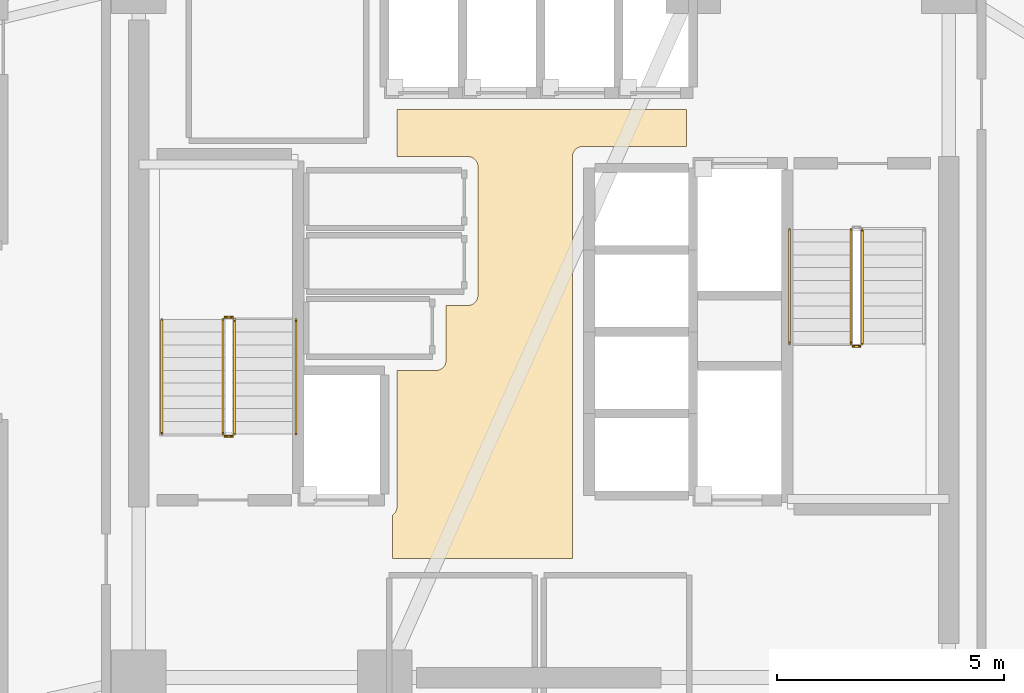
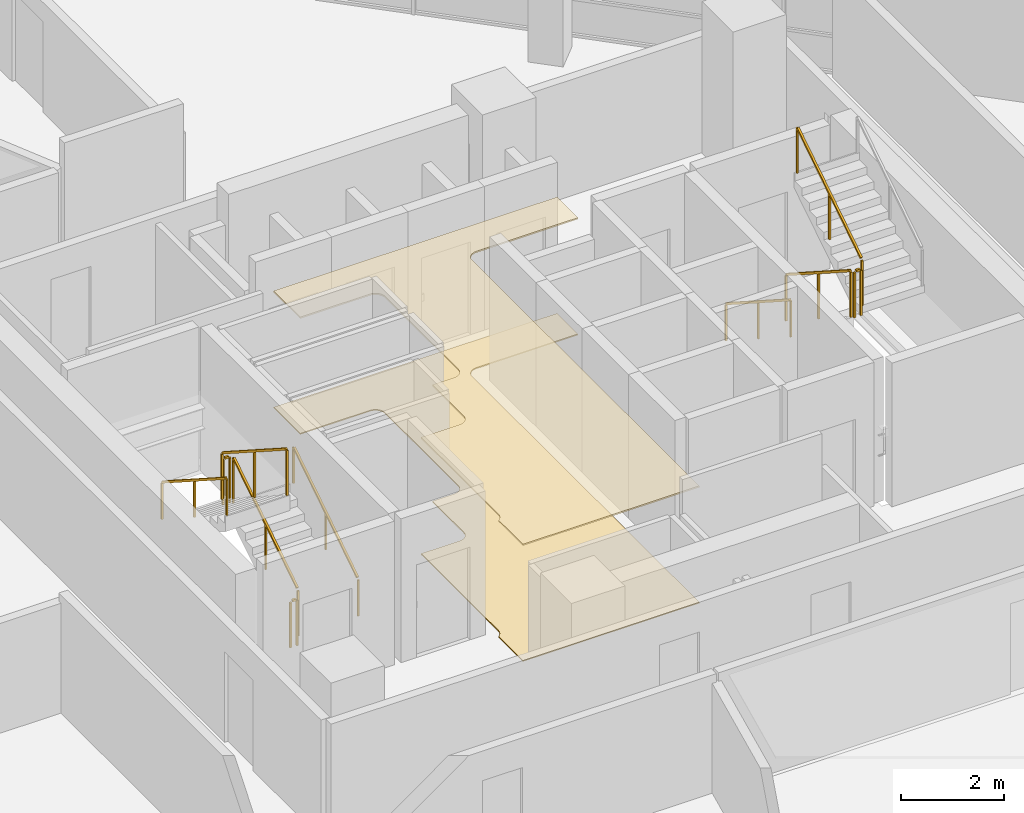
# One storey, part 14 of 16: 10 railings, 2 coverings.
"""IFC4 building model written with IfcOpenShell, lengths in metres."""

from ifc_helpers import new_model, si_unit, direction, frame, origin, origin_2d, place, context, subcontext, project, spatial, polyline, rectangle, outline, extrude, material, layer, layer_set, type_object, element, save


model = new_model("IFC4")

# Units and contexts
model_context = context("Model", 3, precision=1e-05, world=origin(), true_north=direction((0.0, 1.0)))
body_context = subcontext(model_context, "Body", "Model", "MODEL_VIEW")
ifc_project = project(units=[si_unit("LENGTHUNIT", "METRE"), si_unit("AREAUNIT", "SQUARE_METRE"), si_unit("VOLUMEUNIT", "CUBIC_METRE"), si_unit("PLANEANGLEUNIT", "RADIAN"), si_unit("MASSUNIT", "GRAM", prefix="KILO")], contexts=[model_context])

# Site, building, storey
site_placement = place(None, origin())
site = spatial("IfcSite", under=ifc_project, at=site_placement, CompositionType="ELEMENT")
building_placement = place(site_placement, origin())
building = spatial("IfcBuilding", under=site, at=building_placement, Name="Tharavind Bronze Gate", CompositionType="ELEMENT")
storey_placement = place(building_placement, frame((0.0, 0.0, 104.10009765625)))
storey = spatial("IfcBuildingStorey", under=building, at=storey_placement, Name="L26", CompositionType="ELEMENT", Elevation=104.10009765625)

# Coverings
ifc_material_1 = material(Name="Perforated Bronze Acoustic Panel", Category="bronze")
ifc_layer_1 = layer(ifc_material_1, 0.044921875)
ifc_layer_set_1 = layer_set([ifc_layer_1], Name="Perforated Bronze Acoustic Panel")
covering_type_1 = type_object("IfcCoveringType", Name="ACOUSTIC BRONZE BAFFLE CEILING", PredefinedType="CEILING", material=ifc_layer_set_1)
covering_1_placement = place(storey_placement, frame((0.0, 0.0, 2.75)))
element("IfcCovering", 1, at=covering_1_placement, inside=storey, type_object=covering_type_1, Name="L26-C-LL suspended ceiling", PredefinedType="CEILING", context=body_context, shape_type="SweptSolid", body=[
    extrude(outline(polyline([(-3.330078125, -4.97998046875), (0.6298828125, -4.97998046875), (0.6298828125, 3.85009765625), (0.631103515625, 3.87158203125), (0.63427734375, 3.892822265625), (0.639404296875, 3.913818359375), (0.646728515625, 3.93408203125), (0.656005859375, 3.95361328125), (0.6669921875, 3.97216796875), (0.679931640625, 3.989501953125), (0.6943359375, 4.005615234375), (0.71044921875, 4.02001953125), (0.727783203125, 4.032958984375), (0.746337890625, 4.0439453125), (0.765869140625, 4.05322265625), (0.7861328125, 4.060546875), (0.80712890625, 4.06591796875), (0.828369140625, 4.06884765625), (0.85009765625, 4.070068359375), (3.1298828125, 4.070068359375), (3.1298828125, 4.8798828125), (-3.22998046875, 4.8798828125), (-3.22998046875, 3.85009765625), (-1.669921875, 3.85009765625), (-1.6484375, 3.848876953125), (-1.627197265625, 3.845703125), (-1.606201171875, 3.840576171875), (-1.585693359375, 3.833251953125), (-1.56640625, 3.823974609375), (-1.5478515625, 3.81298828125), (-1.530517578125, 3.800048828125), (-1.514404296875, 3.78564453125), (-1.5, 3.76953125), (-1.487060546875, 3.752197265625), (-1.47607421875, 3.733642578125), (-1.466796875, 3.714111328125), (-1.45947265625, 3.69384765625), (-1.4541015625, 3.6728515625), (-1.451171875, 3.651611328125), (-1.449951171875, 3.6298828125), (-1.449951171875, 0.800048828125), (-1.451171875, 0.7783203125), (-1.4541015625, 0.757080078125), (-1.45947265625, 0.736083984375), (-1.466796875, 0.7158203125), (-1.47607421875, 0.6962890625), (-1.487060546875, 0.677734375), (-1.5, 0.660400390625), (-1.514404296875, 0.644287109375), (-1.530517578125, 0.6298828125), (-1.5478515625, 0.6171875), (-1.56640625, 0.60595703125), (-1.585693359375, 0.5966796875), (-1.606201171875, 0.589599609375), (-1.627197265625, 0.584228515625), (-1.6484375, 0.5810546875), (-1.669921875, 0.580078125), (-2.14990234375, 0.580078125), (-2.14990234375, -0.6298828125), (-2.151123046875, -0.651611328125), (-2.154296875, -0.6728515625), (-2.159423828125, -0.69384765625), (-2.166748046875, -0.714111328125), (-2.176025390625, -0.733642578125), (-2.18701171875, -0.752197265625), (-2.199951171875, -0.76953125), (-2.21435546875, -0.78564453125), (-2.23046875, -0.800048828125), (-2.247802734375, -0.81298828125), (-2.266357421875, -0.823974609375), (-2.285888671875, -0.833251953125), (-2.30615234375, -0.840576171875), (-2.3271484375, -0.845703125), (-2.348388671875, -0.848876953125), (-2.3701171875, -0.85009765625), (-3.22998046875, -0.85009765625), (-3.22998046875, -3.85009765625), (-3.231201171875, -3.87158203125), (-3.234130859375, -3.892822265625), (-3.239501953125, -3.913818359375), (-3.24658203125, -3.93408203125), (-3.256103515625, -3.95361328125), (-3.26708984375, -3.97216796875), (-3.27978515625, -3.989501953125), (-3.29443359375, -4.005615234375), (-3.310302734375, -4.02001953125), (-3.327880859375, -4.032958984375), (-3.330078125, -4.0341796875), (-3.330078125, -4.97998046875)])), origin(), (0.0, 0.0, 1.0), 0.034912109375),
])
ifc_material_2 = material(Name="Honed Travertine Limestone", Category="masonry")
ifc_layer_2 = layer(ifc_material_2, 0.030029296875)
ifc_layer_set_2 = layer_set([ifc_layer_2], Name="Honed Travertine Limestone")
covering_type_2 = type_object("IfcCoveringType", Name="HONED LIMESTONE FLOORING", PredefinedType="FLOORING", material=ifc_layer_set_2)
covering_2_placement = place(storey_placement, origin())
element("IfcCovering", 2, at=covering_2_placement, inside=storey, type_object=covering_type_2, Name="L26-C-LL floor finish", PredefinedType="FLOORING", context=body_context, shape_type="SweptSolid", body=[
    extrude(outline(polyline([(-3.330078125, -4.97998046875), (0.6298828125, -4.97998046875), (0.6298828125, 3.85009765625), (0.631103515625, 3.87158203125), (0.63427734375, 3.892822265625), (0.639404296875, 3.913818359375), (0.646728515625, 3.93408203125), (0.656005859375, 3.95361328125), (0.6669921875, 3.97216796875), (0.679931640625, 3.989501953125), (0.6943359375, 4.005615234375), (0.71044921875, 4.02001953125), (0.727783203125, 4.032958984375), (0.746337890625, 4.0439453125), (0.765869140625, 4.05322265625), (0.7861328125, 4.060546875), (0.80712890625, 4.06591796875), (0.828369140625, 4.06884765625), (0.85009765625, 4.070068359375), (3.1298828125, 4.070068359375), (3.1298828125, 4.8798828125), (-3.22998046875, 4.8798828125), (-3.22998046875, 3.85009765625), (-1.669921875, 3.85009765625), (-1.6484375, 3.848876953125), (-1.627197265625, 3.845703125), (-1.606201171875, 3.840576171875), (-1.585693359375, 3.833251953125), (-1.56640625, 3.823974609375), (-1.5478515625, 3.81298828125), (-1.530517578125, 3.800048828125), (-1.514404296875, 3.78564453125), (-1.5, 3.76953125), (-1.487060546875, 3.752197265625), (-1.47607421875, 3.733642578125), (-1.466796875, 3.714111328125), (-1.45947265625, 3.69384765625), (-1.4541015625, 3.6728515625), (-1.451171875, 3.651611328125), (-1.449951171875, 3.6298828125), (-1.449951171875, 0.800048828125), (-1.451171875, 0.7783203125), (-1.4541015625, 0.757080078125), (-1.45947265625, 0.736083984375), (-1.466796875, 0.7158203125), (-1.47607421875, 0.6962890625), (-1.487060546875, 0.677734375), (-1.5, 0.660400390625), (-1.514404296875, 0.644287109375), (-1.530517578125, 0.6298828125), (-1.5478515625, 0.6171875), (-1.56640625, 0.60595703125), (-1.585693359375, 0.5966796875), (-1.606201171875, 0.589599609375), (-1.627197265625, 0.584228515625), (-1.6484375, 0.5810546875), (-1.669921875, 0.580078125), (-2.14990234375, 0.580078125), (-2.14990234375, -0.6298828125), (-2.151123046875, -0.651611328125), (-2.154296875, -0.6728515625), (-2.159423828125, -0.69384765625), (-2.166748046875, -0.714111328125), (-2.176025390625, -0.733642578125), (-2.18701171875, -0.752197265625), (-2.199951171875, -0.76953125), (-2.21435546875, -0.78564453125), (-2.23046875, -0.800048828125), (-2.247802734375, -0.81298828125), (-2.266357421875, -0.823974609375), (-2.285888671875, -0.833251953125), (-2.30615234375, -0.840576171875), (-2.3271484375, -0.845703125), (-2.348388671875, -0.848876953125), (-2.3701171875, -0.85009765625), (-3.22998046875, -0.85009765625), (-3.22998046875, -3.85009765625), (-3.231201171875, -3.87158203125), (-3.234130859375, -3.892822265625), (-3.239501953125, -3.913818359375), (-3.24658203125, -3.93408203125), (-3.256103515625, -3.95361328125), (-3.26708984375, -3.97216796875), (-3.27978515625, -3.989501953125), (-3.29443359375, -4.005615234375), (-3.310302734375, -4.02001953125), (-3.327880859375, -4.032958984375), (-3.330078125, -4.0341796875), (-3.330078125, -4.97998046875)])), origin(), (0.0, 0.0, 1.0), 0.02490234375),
])

# Railings
ifc_material_3 = material(Name="Brushed Bronze Alloy", Category="metal")
railing_type_1 = type_object("IfcRailingType", Name="STAIR BRONZE HANDRAIL 900", PredefinedType="HANDRAIL", material=ifc_material_3)
railing_1_placement = place(storey_placement, frame((-5.449951171875, -2.25, 0.179931640625)))
element("IfcRailing", 3, at=railing_1_placement, inside=storey, type_object=railing_type_1, Name="L26 ST1 stair handrail 1", PredefinedType="HANDRAIL", context=body_context, shape_type="SweptSolid", body=[
    extrude(rectangle(XDim=0.048095703125, YDim=0.048095703125, at=origin_2d()), frame((0.0, 0.02685546875, 0.89306640625), z_axis=(0.0, 0.841199657755, 0.540724639528), x_axis=(-1.0, 0.0, 0.0)), (0.0, 0.0, 1.0), 2.931640625),
    extrude(rectangle(XDim=0.0400390625, YDim=0.0400390625, at=origin_2d()), origin(), (0.0, 0.0, 1.0), 0.847900390625),
    extrude(rectangle(XDim=0.0400390625, YDim=0.0400390625, at=origin_2d()), frame((0.0, 1.260009765625, 0.81005859375)), (0.0, 0.0, 1.0), 0.847900390625),
    extrude(rectangle(XDim=0.0400390625, YDim=0.0400390625, at=origin_2d()), frame((0.0, 2.52001953125, 1.619873046875)), (0.0, 0.0, 1.0), 0.847900390625),
])
for number, where, name in (
    (4, (-8.39990234375, 0.27001953125, 1.97998046875), "L26 ST1 stair handrail 2"),
    (5, (5.39990234375, 2.25, 0.179931640625), "L26 ST2 stair handrail 1"),
):
    element("IfcRailing", number, at=place(storey_placement, frame(where)), inside=storey, type_object=railing_type_1, Name=name, PredefinedType="HANDRAIL", context=body_context, shape_type="SweptSolid", body=[
        extrude(rectangle(XDim=0.048095703125, YDim=0.048095703125, at=origin_2d()), frame((0.0, -0.02685546875, 0.89306640625), z_axis=(0.0, -0.841199657755, 0.540724639528), x_axis=(1.0, 0.0, 0.0)), (0.0, 0.0, 1.0), 2.931640625),
        extrude(rectangle(XDim=0.0400390625, YDim=0.0400390625, at=origin_2d()), origin(), (0.0, 0.0, 1.0), 0.847900390625),
        extrude(rectangle(XDim=0.0400390625, YDim=0.0400390625, at=origin_2d()), frame((0.0, -1.260009765625, 0.81005859375)), (0.0, 0.0, 1.0), 0.847900390625),
        extrude(rectangle(XDim=0.0400390625, YDim=0.0400390625, at=origin_2d()), frame((0.0, -2.52001953125, 1.619873046875)), (0.0, 0.0, 1.0), 0.847900390625),
    ])
railing_type_2 = type_object("IfcRailingType", Name="STAIR WELL GUARD RAILING 1120", PredefinedType="GUARDRAIL", material=ifc_material_3)
railing_2_placement = place(storey_placement, frame((-6.800048828125, -2.25, 0.179931640625)))
element("IfcRailing", 6, at=railing_2_placement, inside=storey, type_object=railing_type_2, Name="L26 ST1 stair guard 1", PredefinedType="GUARDRAIL", context=body_context, shape_type="SweptSolid", body=[
    extrude(rectangle(XDim=0.048095703125, YDim=0.048095703125, at=origin_2d()), frame((0.0, 0.02685546875, 1.11328125), z_axis=(0.0, 0.841199657755, 0.540724639528), x_axis=(-1.0, 0.0, 0.0)), (0.0, 0.0, 1.0), 2.931640625),
    extrude(rectangle(XDim=0.0400390625, YDim=0.0400390625, at=origin_2d()), origin(), (0.0, 0.0, 1.0), 1.068115234375),
    extrude(rectangle(XDim=0.0400390625, YDim=0.0400390625, at=origin_2d()), frame((0.0, 1.260009765625, 0.81005859375)), (0.0, 0.0, 1.0), 1.068115234375),
    extrude(rectangle(XDim=0.0400390625, YDim=0.0400390625, at=origin_2d()), frame((0.0, 2.52001953125, 1.619873046875)), (0.0, 0.0, 1.0), 1.068115234375),
])
railing_3_placement = place(storey_placement, frame((-6.85009765625, 0.320068359375, 1.7998046875)))
element("IfcRailing", 7, at=railing_3_placement, inside=storey, type_object=railing_type_2, Name="L26 ST1 stair guard 2", PredefinedType="GUARDRAIL", context=body_context, shape_type="SweptSolid", body=[
    extrude(rectangle(XDim=0.048095703125, YDim=0.048095703125, at=origin_2d()), frame((-0.031982421875, 0.0, 1.09619140625), z_axis=(-1.0, 0.0, 0.0), x_axis=(0.0, -1.0, 0.0)), (0.0, 0.0, 1.0), 0.0859375),
    extrude(rectangle(XDim=0.0400390625, YDim=0.0400390625, at=origin_2d()), origin(), (0.0, 0.0, 1.0), 1.068115234375),
    extrude(rectangle(XDim=0.0400390625, YDim=0.0400390625, at=origin_2d()), frame((-0.14990234375, 0.0, 0.0)), (0.0, 0.0, 1.0), 1.068115234375),
])
railing_4_placement = place(storey_placement, frame((-7.050048828125, 0.27001953125, 1.97998046875)))
element("IfcRailing", 8, at=railing_4_placement, inside=storey, type_object=railing_type_2, Name="L26 ST1 stair guard 3", PredefinedType="GUARDRAIL", context=body_context, shape_type="SweptSolid", body=[
    extrude(rectangle(XDim=0.048095703125, YDim=0.048095703125, at=origin_2d()), frame((0.0, -0.02685546875, 1.11328125), z_axis=(0.0, -0.841199657755, 0.540724639528), x_axis=(1.0, 0.0, 0.0)), (0.0, 0.0, 1.0), 2.931640625),
    extrude(rectangle(XDim=0.0400390625, YDim=0.0400390625, at=origin_2d()), origin(), (0.0, 0.0, 1.0), 1.068115234375),
    extrude(rectangle(XDim=0.0400390625, YDim=0.0400390625, at=origin_2d()), frame((0.0, -1.260009765625, 0.81005859375)), (0.0, 0.0, 1.0), 1.068115234375),
    extrude(rectangle(XDim=0.0400390625, YDim=0.0400390625, at=origin_2d()), frame((0.0, -2.52001953125, 1.619873046875)), (0.0, 0.0, 1.0), 1.068115234375),
])
railing_5_placement = place(storey_placement, frame((-6.85009765625, -2.300048828125, 0.0)))
element("IfcRailing", 9, at=railing_5_placement, inside=storey, type_object=railing_type_2, Name="L26 ST1 stair guard 4", PredefinedType="GUARDRAIL", context=body_context, shape_type="SweptSolid", body=[
    extrude(rectangle(XDim=0.048095703125, YDim=0.048095703125, at=origin_2d()), frame((-0.031982421875, 0.0, 1.09619140625), z_axis=(-1.0, 0.0, 0.0), x_axis=(0.0, -1.0, 0.0)), (0.0, 0.0, 1.0), 0.0859375),
    extrude(rectangle(XDim=0.0400390625, YDim=0.0400390625, at=origin_2d()), origin(), (0.0, 0.0, 1.0), 1.068115234375),
    extrude(rectangle(XDim=0.0400390625, YDim=0.0400390625, at=origin_2d()), frame((-0.14990234375, 0.0, 0.0)), (0.0, 0.0, 1.0), 1.068115234375),
])
railing_6_placement = place(storey_placement, frame((6.75, 2.25, 0.179931640625)))
element("IfcRailing", 10, at=railing_6_placement, inside=storey, type_object=railing_type_2, Name="L26 ST2 stair guard 1", PredefinedType="GUARDRAIL", context=body_context, shape_type="SweptSolid", body=[
    extrude(rectangle(XDim=0.048095703125, YDim=0.048095703125, at=origin_2d()), frame((0.0, -0.02685546875, 1.11328125), z_axis=(0.0, -0.841199657755, 0.540724639528), x_axis=(1.0, 0.0, 0.0)), (0.0, 0.0, 1.0), 2.931640625),
    extrude(rectangle(XDim=0.0400390625, YDim=0.0400390625, at=origin_2d()), origin(), (0.0, 0.0, 1.0), 1.068115234375),
    extrude(rectangle(XDim=0.0400390625, YDim=0.0400390625, at=origin_2d()), frame((0.0, -1.260009765625, 0.81005859375)), (0.0, 0.0, 1.0), 1.068115234375),
    extrude(rectangle(XDim=0.0400390625, YDim=0.0400390625, at=origin_2d()), frame((0.0, -2.52001953125, 1.619873046875)), (0.0, 0.0, 1.0), 1.068115234375),
])
railing_7_placement = place(storey_placement, frame((6.800048828125, -0.320068359375, 1.7998046875)))
element("IfcRailing", 11, at=railing_7_placement, inside=storey, type_object=railing_type_2, Name="L26 ST2 stair guard 2", PredefinedType="GUARDRAIL", context=body_context, shape_type="SweptSolid", body=[
    extrude(rectangle(XDim=0.048095703125, YDim=0.048095703125, at=origin_2d()), frame((0.031982421875, 0.0, 1.09619140625), z_axis=(1.0, 0.0, 0.0), x_axis=(0.0, 1.0, 0.0)), (0.0, 0.0, 1.0), 0.0859375),
    extrude(rectangle(XDim=0.0400390625, YDim=0.0400390625, at=origin_2d()), origin(), (0.0, 0.0, 1.0), 1.068115234375),
    extrude(rectangle(XDim=0.0400390625, YDim=0.0400390625, at=origin_2d()), frame((0.14990234375, 0.0, 0.0)), (0.0, 0.0, 1.0), 1.068115234375),
])
railing_8_placement = place(storey_placement, frame((7.0, -0.27001953125, 1.97998046875)))
element("IfcRailing", 12, at=railing_8_placement, inside=storey, type_object=railing_type_2, Name="L26 ST2 stair guard 3", PredefinedType="GUARDRAIL", context=body_context, shape_type="SweptSolid", body=[
    extrude(rectangle(XDim=0.048095703125, YDim=0.048095703125, at=origin_2d()), frame((0.0, 0.02685546875, 1.11328125), z_axis=(0.0, 0.841199657755, 0.540724639528), x_axis=(-1.0, 0.0, 0.0)), (0.0, 0.0, 1.0), 2.931640625),
    extrude(rectangle(XDim=0.0400390625, YDim=0.0400390625, at=origin_2d()), origin(), (0.0, 0.0, 1.0), 1.068115234375),
    extrude(rectangle(XDim=0.0400390625, YDim=0.0400390625, at=origin_2d()), frame((0.0, 1.260009765625, 0.81005859375)), (0.0, 0.0, 1.0), 1.068115234375),
    extrude(rectangle(XDim=0.0400390625, YDim=0.0400390625, at=origin_2d()), frame((0.0, 2.52001953125, 1.619873046875)), (0.0, 0.0, 1.0), 1.068115234375),
])

save(model, "model.ifc")
